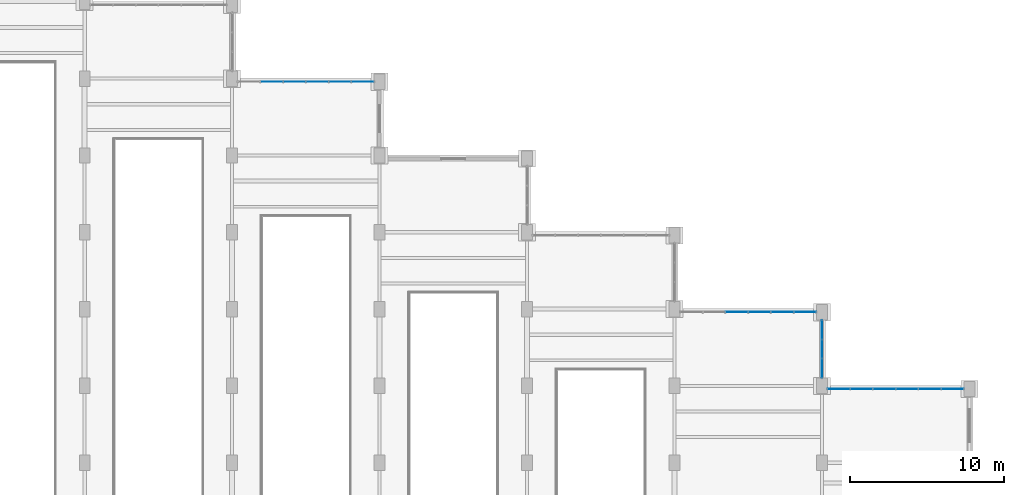
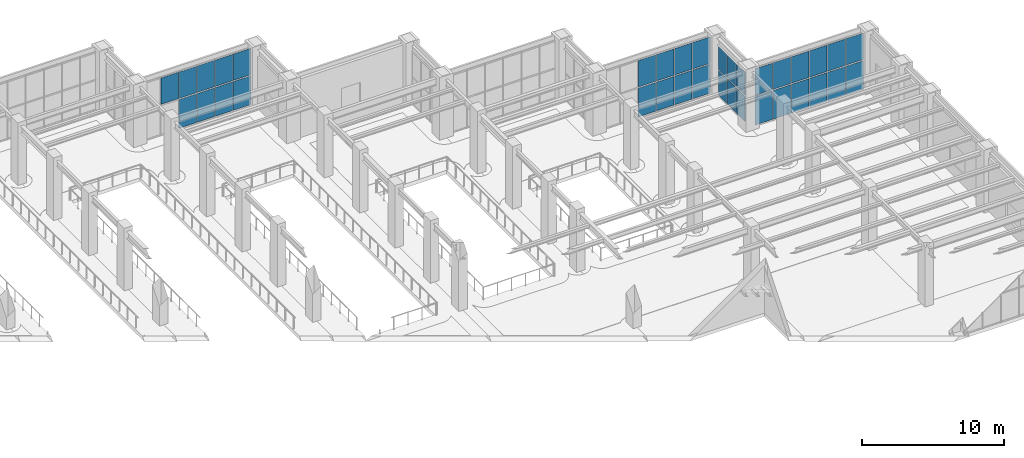
# One storey, part 125 of 164: 35 plates, 4 elements without a shape of their own.
"""IFC4 building model written with IfcOpenShell, lengths in metres."""

from ifc_helpers import new_model, si_unit, direction, frame, origin, origin_2d, place, context, subcontext, project, spatial, rectangle, extrude, material, layer, layer_set, type_object, element, aggregate, save


model = new_model("IFC4")

# Units and contexts
model_context = context("Model", 3, precision=1e-05, world=origin(), true_north=direction((0.0, 1.0)))
body_context = subcontext(model_context, "Body", "Model", "MODEL_VIEW")
ifc_project = project(units=[si_unit("LENGTHUNIT", "METRE"), si_unit("AREAUNIT", "SQUARE_METRE"), si_unit("VOLUMEUNIT", "CUBIC_METRE"), si_unit("PLANEANGLEUNIT", "RADIAN"), si_unit("MASSUNIT", "GRAM", prefix="KILO")], contexts=[model_context])

# Site, building, storey
site_placement = place(None, origin())
site = spatial("IfcSite", under=ifc_project, at=site_placement, CompositionType="ELEMENT")
building_placement = place(site_placement, origin())
building = spatial("IfcBuilding", under=site, at=building_placement, Name="Mavantir Sound Aquarium", CompositionType="ELEMENT")
storey_placement = place(building_placement, origin())
storey = spatial("IfcBuildingStorey", under=building, at=storey_placement, Name="L00", CompositionType="ELEMENT", Elevation=0.0)

# Curtain wall, plates
ifc_material_1 = material(Name="Anodised Marine Aluminium and Low-E Glass", Category="aluminium")
curtain_wall_type_1 = type_object("IfcCurtainWallType", Name="CW-T15", PredefinedType="USERDEFINED", material=ifc_material_1)
curtain_wall_1_placement = place(storey_placement, origin())
curtain_wall_1 = element("IfcCurtainWall", 1, at=curtain_wall_1_placement, inside=storey, type_object=curtain_wall_type_1, Name="L00 unitised curtain wall CW-15 15", ObjectType="UNITISED GLAZING", PredefinedType="USERDEFINED")
ifc_material_2 = material(Name="Solar-Control Laminated Low-E Glass", Category="glass")
ifc_layer_1 = layer(ifc_material_2, 0.028076171875, Name="Solar-Control Laminated Low-E Glass")
ifc_layer_set_1 = layer_set([ifc_layer_1], Name="Solar-Control Laminated Low-E Glass")
plate_type_1 = type_object("IfcPlateType", Name="CW-PNL-28", PredefinedType="CURTAIN_PANEL", material=ifc_layer_set_1)
plate_1_placement = place(storey_placement, frame((135.70166015625, 85.60009765625, 0.10302734375), z_axis=(0.0, 0.0, 1.0), x_axis=(-1.0, 0.0, 0.0)))
plate_1 = element("IfcPlate", 2, at=plate_1_placement, type_object=plate_type_1, Name="CW-L00-015 glazed curtain panel 1.1", PredefinedType="CURTAIN_PANEL", context=body_context, shape_type="SweptSolid", body=[
    extrude(rectangle(XDim=1.4326171875, YDim=0.028076171875, at=origin_2d()), origin(), (0.0, 0.0, 1.0), 2.480224609375),
])
plate_2_placement = place(storey_placement, frame((135.70166015625, 85.60009765625, 2.67919921875), z_axis=(0.0, 0.0, 1.0), x_axis=(-1.0, 0.0, 0.0)))
plate_2 = element("IfcPlate", 3, at=plate_2_placement, type_object=plate_type_1, Name="CW-L00-015 glazed curtain panel 1.2", PredefinedType="CURTAIN_PANEL", context=body_context, shape_type="SweptSolid", body=[
    extrude(rectangle(XDim=1.4326171875, YDim=0.028076171875, at=origin_2d()), origin(), (0.0, 0.0, 1.0), 2.27783203125),
])
plate_3_placement = place(storey_placement, frame((134.220947265625, 85.60009765625, 0.10302734375), z_axis=(0.0, 0.0, 1.0), x_axis=(-1.0, 0.0, 0.0)))
plate_3 = element("IfcPlate", 4, at=plate_3_placement, type_object=plate_type_1, Name="CW-L00-015 glazed curtain panel 2.1", PredefinedType="CURTAIN_PANEL", context=body_context, shape_type="SweptSolid", body=[
    extrude(rectangle(XDim=1.4326171875, YDim=0.028076171875, at=origin_2d()), origin(), (0.0, 0.0, 1.0), 2.480224609375),
])
plate_4_placement = place(storey_placement, frame((134.220947265625, 85.60009765625, 2.67919921875), z_axis=(0.0, 0.0, 1.0), x_axis=(-1.0, 0.0, 0.0)))
plate_4 = element("IfcPlate", 5, at=plate_4_placement, type_object=plate_type_1, Name="CW-L00-015 glazed curtain panel 2.2", PredefinedType="CURTAIN_PANEL", context=body_context, shape_type="SweptSolid", body=[
    extrude(rectangle(XDim=1.4326171875, YDim=0.028076171875, at=origin_2d()), origin(), (0.0, 0.0, 1.0), 2.27783203125),
])
plate_5_placement = place(storey_placement, frame((132.740234375, 85.60009765625, 0.10302734375), z_axis=(0.0, 0.0, 1.0), x_axis=(-1.0, 0.0, 0.0)))
plate_5 = element("IfcPlate", 6, at=plate_5_placement, type_object=plate_type_1, Name="CW-L00-015 glazed curtain panel 3.1", PredefinedType="CURTAIN_PANEL", context=body_context, shape_type="SweptSolid", body=[
    extrude(rectangle(XDim=1.4326171875, YDim=0.028076171875, at=origin_2d()), origin(), (0.0, 0.0, 1.0), 2.480224609375),
])
plate_6_placement = place(storey_placement, frame((132.740234375, 85.60009765625, 2.67919921875), z_axis=(0.0, 0.0, 1.0), x_axis=(-1.0, 0.0, 0.0)))
plate_6 = element("IfcPlate", 7, at=plate_6_placement, type_object=plate_type_1, Name="CW-L00-015 glazed curtain panel 3.2", PredefinedType="CURTAIN_PANEL", context=body_context, shape_type="SweptSolid", body=[
    extrude(rectangle(XDim=1.4326171875, YDim=0.028076171875, at=origin_2d()), origin(), (0.0, 0.0, 1.0), 2.27783203125),
])
plate_7_placement = place(storey_placement, frame((131.259765625, 85.60009765625, 0.10302734375), z_axis=(0.0, 0.0, 1.0), x_axis=(-1.0, 0.0, 0.0)))
plate_7 = element("IfcPlate", 8, at=plate_7_placement, type_object=plate_type_1, Name="CW-L00-015 glazed curtain panel 4.1", PredefinedType="CURTAIN_PANEL", context=body_context, shape_type="SweptSolid", body=[
    extrude(rectangle(XDim=1.4326171875, YDim=0.028076171875, at=origin_2d()), origin(), (0.0, 0.0, 1.0), 2.480224609375),
])
plate_8_placement = place(storey_placement, frame((131.259765625, 85.60009765625, 2.67919921875), z_axis=(0.0, 0.0, 1.0), x_axis=(-1.0, 0.0, 0.0)))
plate_8 = element("IfcPlate", 9, at=plate_8_placement, type_object=plate_type_1, Name="CW-L00-015 glazed curtain panel 4.2", PredefinedType="CURTAIN_PANEL", context=body_context, shape_type="SweptSolid", body=[
    extrude(rectangle(XDim=1.4326171875, YDim=0.028076171875, at=origin_2d()), origin(), (0.0, 0.0, 1.0), 2.27783203125),
])
plate_9_placement = place(storey_placement, frame((129.779052734375, 85.60009765625, 2.67919921875), z_axis=(0.0, 0.0, 1.0), x_axis=(-1.0, 0.0, 0.0)))
plate_9 = element("IfcPlate", 10, at=plate_9_placement, type_object=plate_type_1, Name="CW-L00-015 glazed curtain panel 5.2", PredefinedType="CURTAIN_PANEL", context=body_context, shape_type="SweptSolid", body=[
    extrude(rectangle(XDim=1.4326171875, YDim=0.028076171875, at=origin_2d()), origin(), (0.0, 0.0, 1.0), 2.27783203125),
])
aggregate(curtain_wall_1, [plate_1, plate_2, plate_3, plate_4, plate_5, plate_6, plate_7, plate_8, plate_9])

curtain_wall_type_2 = type_object("IfcCurtainWallType", Name="CW-T03", PredefinedType="USERDEFINED", material=ifc_material_1)
curtain_wall_2_placement = place(storey_placement, origin())
curtain_wall_2 = element("IfcCurtainWall", 11, at=curtain_wall_2_placement, inside=storey, type_object=curtain_wall_type_2, Name="L00 unitised curtain wall CW-03 27", ObjectType="UNITISED GLAZING", PredefinedType="USERDEFINED")
plate_10_placement = place(storey_placement, frame((165.60009765625, 66.938720703125, 0.10302734375), z_axis=(0.0, 0.0, 1.0), x_axis=(0.0, 1.0, 0.0)))
plate_10 = element("IfcPlate", 12, at=plate_10_placement, type_object=plate_type_1, Name="CW-L00-027 glazed curtain panel 1.1", PredefinedType="CURTAIN_PANEL", context=body_context, shape_type="SweptSolid", body=[
    extrude(rectangle(XDim=1.21337890625, YDim=0.028076171875, at=origin_2d()), origin(), (0.0, 0.0, 1.0), 2.160400390625),
])
plate_11_placement = place(storey_placement, frame((165.60009765625, 66.938720703125, 2.359375), z_axis=(0.0, 0.0, 1.0), x_axis=(0.0, 1.0, 0.0)))
plate_11 = element("IfcPlate", 13, at=plate_11_placement, type_object=plate_type_1, Name="CW-L00-027 glazed curtain panel 1.2", PredefinedType="CURTAIN_PANEL", context=body_context, shape_type="SweptSolid", body=[
    extrude(rectangle(XDim=1.21337890625, YDim=0.028076171875, at=origin_2d()), origin(), (0.0, 0.0, 1.0), 1.982666015625),
])
plate_12_placement = place(storey_placement, frame((165.60009765625, 68.199951171875, 0.10302734375), z_axis=(0.0, 0.0, 1.0), x_axis=(0.0, 1.0, 0.0)))
plate_12 = element("IfcPlate", 14, at=plate_12_placement, type_object=plate_type_1, Name="CW-L00-027 glazed curtain panel 2.1", PredefinedType="CURTAIN_PANEL", context=body_context, shape_type="SweptSolid", body=[
    extrude(rectangle(XDim=1.21337890625, YDim=0.028076171875, at=origin_2d()), origin(), (0.0, 0.0, 1.0), 2.160400390625),
])
plate_13_placement = place(storey_placement, frame((165.60009765625, 68.199951171875, 2.359375), z_axis=(0.0, 0.0, 1.0), x_axis=(0.0, 1.0, 0.0)))
plate_13 = element("IfcPlate", 15, at=plate_13_placement, type_object=plate_type_1, Name="CW-L00-027 glazed curtain panel 2.2", PredefinedType="CURTAIN_PANEL", context=body_context, shape_type="SweptSolid", body=[
    extrude(rectangle(XDim=1.21337890625, YDim=0.028076171875, at=origin_2d()), origin(), (0.0, 0.0, 1.0), 1.982666015625),
])
plate_14_placement = place(storey_placement, frame((165.60009765625, 69.461181640625, 0.10302734375), z_axis=(0.0, 0.0, 1.0), x_axis=(0.0, 1.0, 0.0)))
plate_14 = element("IfcPlate", 16, at=plate_14_placement, type_object=plate_type_1, Name="CW-L00-027 glazed curtain panel 3.1", PredefinedType="CURTAIN_PANEL", context=body_context, shape_type="SweptSolid", body=[
    extrude(rectangle(XDim=1.21337890625, YDim=0.028076171875, at=origin_2d()), origin(), (0.0, 0.0, 1.0), 2.160400390625),
])
plate_15_placement = place(storey_placement, frame((165.60009765625, 69.461181640625, 2.359375), z_axis=(0.0, 0.0, 1.0), x_axis=(0.0, 1.0, 0.0)))
plate_15 = element("IfcPlate", 17, at=plate_15_placement, type_object=plate_type_1, Name="CW-L00-027 glazed curtain panel 3.2", PredefinedType="CURTAIN_PANEL", context=body_context, shape_type="SweptSolid", body=[
    extrude(rectangle(XDim=1.21337890625, YDim=0.028076171875, at=origin_2d()), origin(), (0.0, 0.0, 1.0), 1.982666015625),
])
aggregate(curtain_wall_2, [plate_10, plate_11, plate_12, plate_13, plate_14, plate_15])

curtain_wall_type_3 = type_object("IfcCurtainWallType", Name="CW-T02", PredefinedType="USERDEFINED", material=ifc_material_1)
curtain_wall_3_placement = place(storey_placement, origin())
curtain_wall_3 = element("IfcCurtainWall", 18, at=curtain_wall_3_placement, inside=storey, type_object=curtain_wall_type_3, Name="L00 unitised curtain wall CW-02 26", ObjectType="UNITISED GLAZING", PredefinedType="USERDEFINED")
ifc_layer_2 = layer(ifc_material_2, 0.031982421875, Name="Solar-Control Laminated Low-E Glass")
ifc_layer_set_2 = layer_set([ifc_layer_2], Name="Solar-Control Laminated Low-E Glass")
plate_type_2 = type_object("IfcPlateType", Name="CW-PNL-32", PredefinedType="CURTAIN_PANEL", material=ifc_layer_set_2)
plate_16_placement = place(storey_placement, frame((174.101806640625, 65.60009765625, 0.10302734375), z_axis=(0.0, 0.0, 1.0), x_axis=(-1.0, 0.0, 0.0)))
plate_16 = element("IfcPlate", 19, at=plate_16_placement, type_object=plate_type_2, Name="CW-L00-026 glazed curtain panel 1.1", PredefinedType="CURTAIN_PANEL", context=body_context, shape_type="SweptSolid", body=[
    extrude(rectangle(XDim=1.4326171875, YDim=0.031982421875, at=origin_2d()), origin(), (0.0, 0.0, 1.0), 2.480224609375),
])
plate_17_placement = place(storey_placement, frame((174.101806640625, 65.60009765625, 2.67919921875), z_axis=(0.0, 0.0, 1.0), x_axis=(-1.0, 0.0, 0.0)))
plate_17 = element("IfcPlate", 20, at=plate_17_placement, type_object=plate_type_2, Name="CW-L00-026 glazed curtain panel 1.2", PredefinedType="CURTAIN_PANEL", context=body_context, shape_type="SweptSolid", body=[
    extrude(rectangle(XDim=1.4326171875, YDim=0.031982421875, at=origin_2d()), origin(), (0.0, 0.0, 1.0), 2.27783203125),
])
plate_18_placement = place(storey_placement, frame((172.62109375, 65.60009765625, 0.10302734375), z_axis=(0.0, 0.0, 1.0), x_axis=(-1.0, 0.0, 0.0)))
plate_18 = element("IfcPlate", 21, at=plate_18_placement, type_object=plate_type_2, Name="CW-L00-026 glazed curtain panel 2.1", PredefinedType="CURTAIN_PANEL", context=body_context, shape_type="SweptSolid", body=[
    extrude(rectangle(XDim=1.4326171875, YDim=0.031982421875, at=origin_2d()), origin(), (0.0, 0.0, 1.0), 2.480224609375),
])
plate_19_placement = place(storey_placement, frame((172.62109375, 65.60009765625, 2.67919921875), z_axis=(0.0, 0.0, 1.0), x_axis=(-1.0, 0.0, 0.0)))
plate_19 = element("IfcPlate", 22, at=plate_19_placement, type_object=plate_type_2, Name="CW-L00-026 glazed curtain panel 2.2", PredefinedType="CURTAIN_PANEL", context=body_context, shape_type="SweptSolid", body=[
    extrude(rectangle(XDim=1.4326171875, YDim=0.031982421875, at=origin_2d()), origin(), (0.0, 0.0, 1.0), 2.27783203125),
])
plate_20_placement = place(storey_placement, frame((171.140380859375, 65.60009765625, 0.10302734375), z_axis=(0.0, 0.0, 1.0), x_axis=(-1.0, 0.0, 0.0)))
plate_20 = element("IfcPlate", 23, at=plate_20_placement, type_object=plate_type_2, Name="CW-L00-026 glazed curtain panel 3.1", PredefinedType="CURTAIN_PANEL", context=body_context, shape_type="SweptSolid", body=[
    extrude(rectangle(XDim=1.4326171875, YDim=0.031982421875, at=origin_2d()), origin(), (0.0, 0.0, 1.0), 2.480224609375),
])
plate_21_placement = place(storey_placement, frame((171.140380859375, 65.60009765625, 2.67919921875), z_axis=(0.0, 0.0, 1.0), x_axis=(-1.0, 0.0, 0.0)))
plate_21 = element("IfcPlate", 24, at=plate_21_placement, type_object=plate_type_2, Name="CW-L00-026 glazed curtain panel 3.2", PredefinedType="CURTAIN_PANEL", context=body_context, shape_type="SweptSolid", body=[
    extrude(rectangle(XDim=1.4326171875, YDim=0.031982421875, at=origin_2d()), origin(), (0.0, 0.0, 1.0), 2.27783203125),
])
plate_22_placement = place(storey_placement, frame((169.65966796875, 65.60009765625, 0.10302734375), z_axis=(0.0, 0.0, 1.0), x_axis=(-1.0, 0.0, 0.0)))
plate_22 = element("IfcPlate", 25, at=plate_22_placement, type_object=plate_type_2, Name="CW-L00-026 glazed curtain panel 4.1", PredefinedType="CURTAIN_PANEL", context=body_context, shape_type="SweptSolid", body=[
    extrude(rectangle(XDim=1.4326171875, YDim=0.031982421875, at=origin_2d()), origin(), (0.0, 0.0, 1.0), 2.480224609375),
])
plate_23_placement = place(storey_placement, frame((169.65966796875, 65.60009765625, 2.67919921875), z_axis=(0.0, 0.0, 1.0), x_axis=(-1.0, 0.0, 0.0)))
plate_23 = element("IfcPlate", 26, at=plate_23_placement, type_object=plate_type_2, Name="CW-L00-026 glazed curtain panel 4.2", PredefinedType="CURTAIN_PANEL", context=body_context, shape_type="SweptSolid", body=[
    extrude(rectangle(XDim=1.4326171875, YDim=0.031982421875, at=origin_2d()), origin(), (0.0, 0.0, 1.0), 2.27783203125),
])
plate_24_placement = place(storey_placement, frame((168.178955078125, 65.60009765625, 0.10302734375), z_axis=(0.0, 0.0, 1.0), x_axis=(-1.0, 0.0, 0.0)))
plate_24 = element("IfcPlate", 27, at=plate_24_placement, type_object=plate_type_2, Name="CW-L00-026 glazed curtain panel 5.1", PredefinedType="CURTAIN_PANEL", context=body_context, shape_type="SweptSolid", body=[
    extrude(rectangle(XDim=1.4326171875, YDim=0.031982421875, at=origin_2d()), origin(), (0.0, 0.0, 1.0), 2.480224609375),
])
plate_25_placement = place(storey_placement, frame((168.178955078125, 65.60009765625, 2.67919921875), z_axis=(0.0, 0.0, 1.0), x_axis=(-1.0, 0.0, 0.0)))
plate_25 = element("IfcPlate", 28, at=plate_25_placement, type_object=plate_type_2, Name="CW-L00-026 glazed curtain panel 5.2", PredefinedType="CURTAIN_PANEL", context=body_context, shape_type="SweptSolid", body=[
    extrude(rectangle(XDim=1.4326171875, YDim=0.031982421875, at=origin_2d()), origin(), (0.0, 0.0, 1.0), 2.27783203125),
])
plate_26_placement = place(storey_placement, frame((166.6982421875, 65.60009765625, 0.10302734375), z_axis=(0.0, 0.0, 1.0), x_axis=(-1.0, 0.0, 0.0)))
plate_26 = element("IfcPlate", 29, at=plate_26_placement, type_object=plate_type_2, Name="CW-L00-026 glazed curtain panel 6.1", PredefinedType="CURTAIN_PANEL", context=body_context, shape_type="SweptSolid", body=[
    extrude(rectangle(XDim=1.4326171875, YDim=0.031982421875, at=origin_2d()), origin(), (0.0, 0.0, 1.0), 2.480224609375),
])
plate_27_placement = place(storey_placement, frame((166.6982421875, 65.60009765625, 2.67919921875), z_axis=(0.0, 0.0, 1.0), x_axis=(-1.0, 0.0, 0.0)))
plate_27 = element("IfcPlate", 30, at=plate_27_placement, type_object=plate_type_2, Name="CW-L00-026 glazed curtain panel 6.2", PredefinedType="CURTAIN_PANEL", context=body_context, shape_type="SweptSolid", body=[
    extrude(rectangle(XDim=1.4326171875, YDim=0.031982421875, at=origin_2d()), origin(), (0.0, 0.0, 1.0), 2.27783203125),
])
aggregate(curtain_wall_3, [plate_16, plate_17, plate_18, plate_19, plate_20, plate_21, plate_22, plate_23, plate_24, plate_25, plate_26, plate_27])

curtain_wall_type_4 = type_object("IfcCurtainWallType", Name="CW-T04", PredefinedType="USERDEFINED", material=ifc_material_1)
curtain_wall_4_placement = place(storey_placement, origin())
curtain_wall_4 = element("IfcCurtainWall", 31, at=curtain_wall_4_placement, inside=storey, type_object=curtain_wall_type_4, Name="L00 unitised curtain wall CW-04 28", ObjectType="UNITISED GLAZING", PredefinedType="USERDEFINED")
plate_28_placement = place(storey_placement, frame((164.501708984375, 70.60009765625, 0.10302734375), z_axis=(0.0, 0.0, 1.0), x_axis=(-1.0, 0.0, 0.0)))
plate_28 = element("IfcPlate", 32, at=plate_28_placement, type_object=plate_type_2, Name="CW-L00-028 glazed curtain panel 1.1", PredefinedType="CURTAIN_PANEL", context=body_context, shape_type="SweptSolid", body=[
    extrude(rectangle(XDim=1.4326171875, YDim=0.031982421875, at=origin_2d()), origin(), (0.0, 0.0, 1.0), 2.480224609375),
])
plate_29_placement = place(storey_placement, frame((164.501708984375, 70.60009765625, 2.67919921875), z_axis=(0.0, 0.0, 1.0), x_axis=(-1.0, 0.0, 0.0)))
plate_29 = element("IfcPlate", 33, at=plate_29_placement, type_object=plate_type_2, Name="CW-L00-028 glazed curtain panel 1.2", PredefinedType="CURTAIN_PANEL", context=body_context, shape_type="SweptSolid", body=[
    extrude(rectangle(XDim=1.4326171875, YDim=0.031982421875, at=origin_2d()), origin(), (0.0, 0.0, 1.0), 2.27783203125),
])
plate_30_placement = place(storey_placement, frame((163.02099609375, 70.60009765625, 0.10302734375), z_axis=(0.0, 0.0, 1.0), x_axis=(-1.0, 0.0, 0.0)))
plate_30 = element("IfcPlate", 34, at=plate_30_placement, type_object=plate_type_2, Name="CW-L00-028 glazed curtain panel 2.1", PredefinedType="CURTAIN_PANEL", context=body_context, shape_type="SweptSolid", body=[
    extrude(rectangle(XDim=1.4326171875, YDim=0.031982421875, at=origin_2d()), origin(), (0.0, 0.0, 1.0), 2.480224609375),
])
plate_31_placement = place(storey_placement, frame((163.02099609375, 70.60009765625, 2.67919921875), z_axis=(0.0, 0.0, 1.0), x_axis=(-1.0, 0.0, 0.0)))
plate_31 = element("IfcPlate", 35, at=plate_31_placement, type_object=plate_type_2, Name="CW-L00-028 glazed curtain panel 2.2", PredefinedType="CURTAIN_PANEL", context=body_context, shape_type="SweptSolid", body=[
    extrude(rectangle(XDim=1.4326171875, YDim=0.031982421875, at=origin_2d()), origin(), (0.0, 0.0, 1.0), 2.27783203125),
])
plate_32_placement = place(storey_placement, frame((161.540283203125, 70.60009765625, 0.10302734375), z_axis=(0.0, 0.0, 1.0), x_axis=(-1.0, 0.0, 0.0)))
plate_32 = element("IfcPlate", 36, at=plate_32_placement, type_object=plate_type_2, Name="CW-L00-028 glazed curtain panel 3.1", PredefinedType="CURTAIN_PANEL", context=body_context, shape_type="SweptSolid", body=[
    extrude(rectangle(XDim=1.4326171875, YDim=0.031982421875, at=origin_2d()), origin(), (0.0, 0.0, 1.0), 2.480224609375),
])
plate_33_placement = place(storey_placement, frame((161.540283203125, 70.60009765625, 2.67919921875), z_axis=(0.0, 0.0, 1.0), x_axis=(-1.0, 0.0, 0.0)))
plate_33 = element("IfcPlate", 37, at=plate_33_placement, type_object=plate_type_2, Name="CW-L00-028 glazed curtain panel 3.2", PredefinedType="CURTAIN_PANEL", context=body_context, shape_type="SweptSolid", body=[
    extrude(rectangle(XDim=1.4326171875, YDim=0.031982421875, at=origin_2d()), origin(), (0.0, 0.0, 1.0), 2.27783203125),
])
plate_34_placement = place(storey_placement, frame((160.059814453125, 70.60009765625, 0.10302734375), z_axis=(0.0, 0.0, 1.0), x_axis=(-1.0, 0.0, 0.0)))
plate_34 = element("IfcPlate", 38, at=plate_34_placement, type_object=plate_type_2, Name="CW-L00-028 glazed curtain panel 4.1", PredefinedType="CURTAIN_PANEL", context=body_context, shape_type="SweptSolid", body=[
    extrude(rectangle(XDim=1.4326171875, YDim=0.031982421875, at=origin_2d()), origin(), (0.0, 0.0, 1.0), 2.480224609375),
])
plate_35_placement = place(storey_placement, frame((160.059814453125, 70.60009765625, 2.67919921875), z_axis=(0.0, 0.0, 1.0), x_axis=(-1.0, 0.0, 0.0)))
plate_35 = element("IfcPlate", 39, at=plate_35_placement, type_object=plate_type_2, Name="CW-L00-028 glazed curtain panel 4.2", PredefinedType="CURTAIN_PANEL", context=body_context, shape_type="SweptSolid", body=[
    extrude(rectangle(XDim=1.4326171875, YDim=0.031982421875, at=origin_2d()), origin(), (0.0, 0.0, 1.0), 2.27783203125),
])
aggregate(curtain_wall_4, [plate_28, plate_29, plate_30, plate_31, plate_32, plate_33, plate_34, plate_35])

save(model, "model.ifc")
